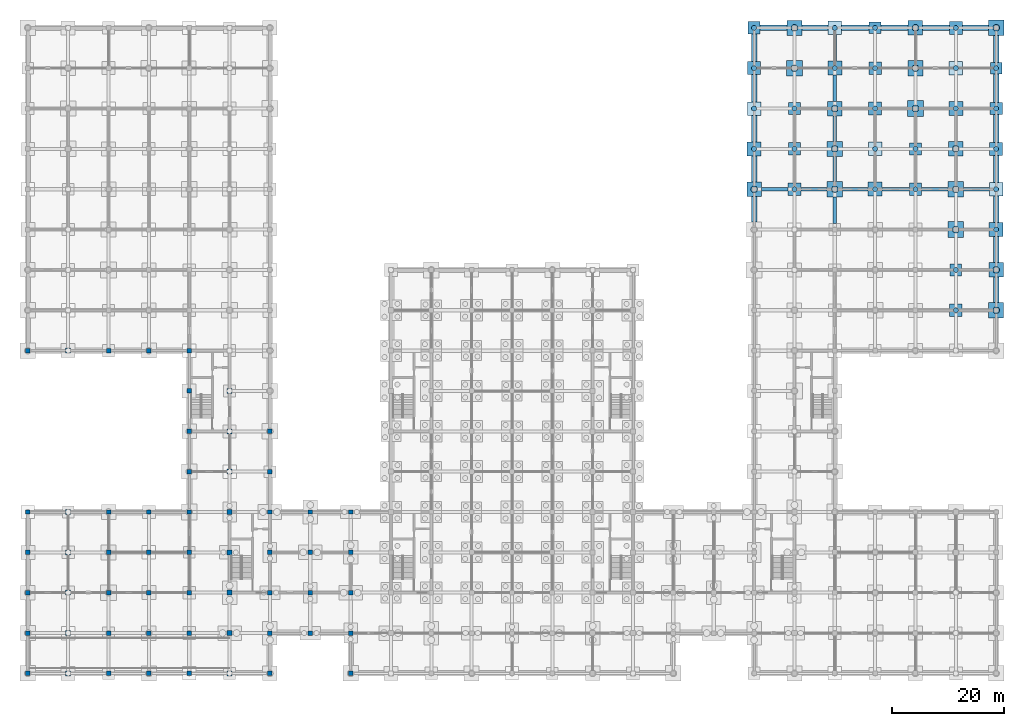
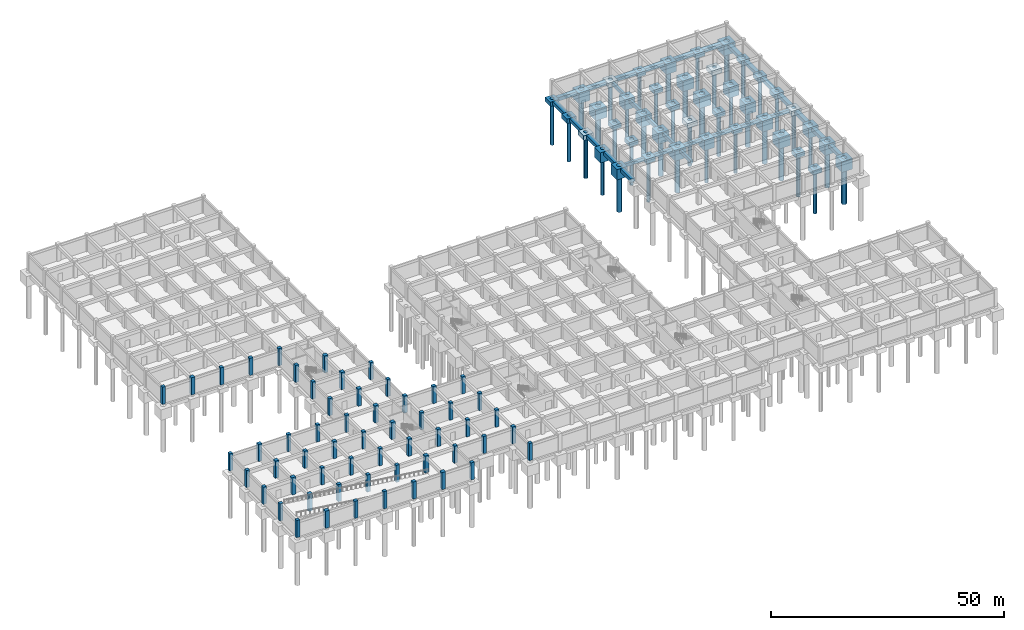
# One storey, part 7 of 25: 70 footings, 57 columns, 41 piles.
"""IFC4 building model written with IfcOpenShell, lengths in metres."""

from ifc_helpers import new_model, si_unit, direction, frame, origin, origin_2d, place, context, subcontext, project, spatial, rectangle, circle, extrude, material, material_profile, profile_set, type_object, element, save


model = new_model("IFC4")

# Units and contexts
model_context = context("Model", 3, precision=1e-05, world=origin(), true_north=direction((0.0, 1.0)))
body_context = subcontext(model_context, "Body", "Model", "MODEL_VIEW")
ifc_project = project(units=[si_unit("LENGTHUNIT", "METRE"), si_unit("AREAUNIT", "SQUARE_METRE"), si_unit("VOLUMEUNIT", "CUBIC_METRE"), si_unit("PLANEANGLEUNIT", "RADIAN"), si_unit("MASSUNIT", "GRAM", prefix="KILO")], contexts=[model_context])

# Site, building, storey
site_placement = place(None, origin())
site = spatial("IfcSite", under=ifc_project, at=site_placement, CompositionType="ELEMENT")
building_placement = place(site_placement, origin())
building = spatial("IfcBuilding", under=site, at=building_placement, Name="Cendaluz Park School", CompositionType="ELEMENT")
storey_placement = place(building_placement, frame((0.0, 0.0, -4.5)))
storey = spatial("IfcBuildingStorey", under=building, at=storey_placement, Name="B1", CompositionType="ELEMENT", Elevation=-4.5)

# Piles
ifc_material = material(Name="Concrete C40/50", Category="concrete")
ifc_material_profile_1 = material_profile(ifc_material, circle(Radius=0.449951171875, at=origin_2d()), Name="BP D900", Category="concrete")
ifc_profile_set_1 = profile_set([ifc_material_profile_1], Name="Concrete C40/50")
pile_type_1 = type_object("IfcPileType", Name="BP-01", PredefinedType="BORED", material=ifc_profile_set_1)
for number, where, z_axis, x_axis, name in (
    (1, (129.60009765625, 93.60009765625, -0.5), (0.0, 0.0, -1.0), (1.0, 0.0, 0.0), "PL-B1-419"),
    (2, (129.60009765625, 100.800048828125, -0.5), (0.0, 0.0, -1.0), (1.0, 0.0, 0.0), "PL-B1-420"),
    (3, (129.60009765625, 108.0, -0.5), (0.0, 0.0, -1.0), (1.0, 0.0, 0.0), "PL-B1-421"),
    (4, (129.60009765625, 115.199951171875, -0.5), (0.0, 0.0, -1.0), (1.0, 0.0, 0.0), "PL-B1-422"),
    (5, (136.800048828125, 86.39990234375, -0.5), (0.0, 0.0, -1.0), (1.0, 0.0, 0.0), "PL-B1-439"),
    (6, (136.800048828125, 93.60009765625, -0.5), (0.0, 0.0, -1.0), (1.0, 0.0, 0.0), "PL-B1-440"),
    (7, (136.800048828125, 100.800048828125, -0.5), (0.0, 0.0, -1.0), (1.0, 0.0, 0.0), "PL-B1-441"),
    (8, (144.0, 108.0, -0.5), (0.0, 0.0, -1.0), (1.0, 0.0, 0.0), "PL-B1-459"),
    (9, (144.0, 115.199951171875, -0.5), (0.0, 0.0, -1.0), (1.0, 0.0, 0.0), "PL-B1-460"),
    (10, (151.199951171875, 86.39990234375, -0.5), (0.0, 0.0, -1.0), (1.0, 0.0, 0.0), "PL-B1-470"),
    (11, (151.199951171875, 93.60009765625, -0.5), (0.0, 0.0, -1.0), (1.0, 0.0, 0.0), "PL-B1-471"),
    (12, (151.199951171875, 100.800048828125, -0.5), (0.0, 0.0, -1.0), (1.0, 0.0, 0.0), "PL-B1-472"),
    (13, (151.199951171875, 108.0, -0.5), (0.0, 0.0, -1.0), (1.0, 0.0, 0.0), "PL-B1-473"),
    (14, (151.199951171875, 115.199951171875, -0.5), (0.0, 0.0, -1.0), (1.0, 0.0, 0.0), "PL-B1-474"),
    (15, (158.39990234375, 86.39990234375, -0.5), (0.0, 0.0, -1.0), (1.0, 0.0, 0.0), "PL-B1-484"),
    (16, (158.39990234375, 93.60009765625, -0.5), (0.0, 0.0, -1.0), (1.0, 0.0, 0.0), "PL-B1-485"),
    (17, (165.60009765625, 64.800048828125, -0.5), (0.0, 0.0, -1.0), (1.0, 0.0, 0.0), "PL-B1-495"),
    (18, (165.60009765625, 72.0, -0.5), (0.0, 0.0, -1.0), (1.0, 0.0, 0.0), "PL-B1-496"),
    (19, (165.60009765625, 100.800048828125, -0.5), (0.0, 0.0, -1.0), (1.0, 0.0, 0.0), "PL-B1-500"),
    (20, (165.60009765625, 108.0, -0.5), (0.0, 0.0, -1.0), (1.0, 0.0, 0.0), "PL-B1-501"),
    (21, (165.60009765625, 115.199951171875, -0.5), (0.0, 0.0, -1.0), (1.0, 0.0, 0.0), "PL-B1-502"),
    (22, (172.800048828125, 79.199951171875, -0.5), (0.0, 0.0, -1.0), (1.0, 0.0, 0.0), "PL-B1-511"),
    (23, (172.800048828125, 86.39990234375, -0.5), (0.0, 0.0, -1.0), (1.0, 0.0, 0.0), "PL-B1-512"),
    (24, (172.800048828125, 93.60009765625, -0.5), (0.0, 0.0, -1.0), (1.0, 0.0, 0.0), "PL-B1-513"),
    (25, (172.800048828125, 100.800048828125, -0.5), (0.0, 0.0, -1.0), (1.0, 0.0, 0.0), "PL-B1-514"),
    (26, (172.800048828125, 108.0, -0.5), (0.0, 0.0, -1.0), (1.0, 0.0, 0.0), "PL-B1-515"),
):
    element("IfcPile", number, at=place(storey_placement, frame(where, z_axis=z_axis, x_axis=x_axis)), inside=storey, type_object=pile_type_1, Name=name, PredefinedType="BORED", context=body_context, shape_type="SweptSolid", body=[
        extrude(circle(Radius=0.449951171875, at=origin_2d()), origin(), (0.0, 0.0, 1.0), 12.0),
    ])
ifc_material_profile_2 = material_profile(ifc_material, circle(Radius=0.60009765625, at=origin_2d()), Name="BP D1200", Category="concrete")
ifc_profile_set_2 = profile_set([ifc_material_profile_2], Name="Concrete C40/50")
pile_type_2 = type_object("IfcPileType", Name="BP-02", PredefinedType="BORED", material=ifc_profile_set_2)
for number, where, z_axis, x_axis, name in (
    (27, (129.60009765625, 86.39990234375, -0.5), (0.0, 0.0, -1.0), (1.0, 0.0, 0.0), "PL-B1-418"),
    (28, (136.800048828125, 108.0, -0.5), (0.0, 0.0, -1.0), (1.0, 0.0, 0.0), "PL-B1-442"),
    (29, (136.800048828125, 115.199951171875, -0.5), (0.0, 0.0, -1.0), (1.0, 0.0, 0.0), "PL-B1-443"),
    (30, (144.0, 86.39990234375, -0.5), (0.0, 0.0, -1.0), (1.0, 0.0, 0.0), "PL-B1-456"),
    (31, (144.0, 93.60009765625, -0.5), (0.0, 0.0, -1.0), (1.0, 0.0, 0.0), "PL-B1-457"),
    (32, (144.0, 100.800048828125, -0.5), (0.0, 0.0, -1.0), (1.0, 0.0, 0.0), "PL-B1-458"),
    (33, (158.39990234375, 100.800048828125, -0.5), (0.0, 0.0, -1.0), (1.0, 0.0, 0.0), "PL-B1-486"),
    (34, (158.39990234375, 108.0, -0.5), (0.0, 0.0, -1.0), (1.0, 0.0, 0.0), "PL-B1-487"),
    (35, (158.39990234375, 115.199951171875, -0.5), (0.0, 0.0, -1.0), (1.0, 0.0, 0.0), "PL-B1-488"),
    (36, (165.60009765625, 79.199951171875, -0.5), (0.0, 0.0, -1.0), (1.0, 0.0, 0.0), "PL-B1-497"),
    (37, (165.60009765625, 86.39990234375, -0.5), (0.0, 0.0, -1.0), (1.0, 0.0, 0.0), "PL-B1-498"),
    (38, (165.60009765625, 93.60009765625, -0.5), (0.0, 0.0, -1.0), (1.0, 0.0, 0.0), "PL-B1-499"),
    (39, (172.800048828125, 64.800048828125, -0.5), (0.0, 0.0, -1.0), (1.0, 0.0, 0.0), "PL-B1-509"),
    (40, (172.800048828125, 72.0, -0.5), (0.0, 0.0, -1.0), (1.0, 0.0, 0.0), "PL-B1-510"),
    (41, (172.800048828125, 115.199951171875, -0.5), (0.0, 0.0, -1.0), (1.0, 0.0, 0.0), "PL-B1-516"),
):
    element("IfcPile", number, at=place(storey_placement, frame(where, z_axis=z_axis, x_axis=x_axis)), inside=storey, type_object=pile_type_2, Name=name, PredefinedType="BORED", context=body_context, shape_type="SweptSolid", body=[
        extrude(circle(Radius=0.60009765625, at=origin_2d()), origin(), (0.0, 0.0, 1.0), 12.0),
    ])

# Footings
footing_type_1 = type_object("IfcFootingType", Name="FB-X455", PredefinedType="FOOTING_BEAM", material=ifc_material)
footing_1_placement = place(storey_placement, frame((147.675048828125, 86.39990234375, -1.39990234375), z_axis=(0.0, 0.0, 1.0), x_axis=(1.0, 0.0, 0.0)))
element("IfcFooting", 42, at=footing_1_placement, inside=storey, type_object=footing_type_1, Name="FT-B1-389", PredefinedType="FOOTING_BEAM", context=body_context, shape_type="SweptSolid", body=[
    extrude(rectangle(XDim=4.550048828125, YDim=0.60009765625, at=origin_2d()), origin(), (0.0, 0.0, 1.0), 0.89990234375),
])
footing_type_2 = type_object("IfcFootingType", Name="FB-X465", PredefinedType="FOOTING_BEAM", material=ifc_material)
for number, where, z_axis, x_axis, name in (
    (43, (140.27490234375, 86.39990234375, -1.39990234375), (0.0, 0.0, 1.0), (1.0, 0.0, 0.0), "FT-B1-384"),
    (44, (169.27490234375, 86.39990234375, -1.39990234375), (0.0, 0.0, 1.0), (1.0, 0.0, 0.0), "FT-B1-404"),
):
    element("IfcFooting", number, at=place(storey_placement, frame(where, z_axis=z_axis, x_axis=x_axis)), inside=storey, type_object=footing_type_2, Name=name, PredefinedType="FOOTING_BEAM", context=body_context, shape_type="SweptSolid", body=[
        extrude(rectangle(XDim=4.64990234375, YDim=0.60009765625, at=origin_2d()), origin(), (0.0, 0.0, 1.0), 0.89990234375),
    ])
footing_type_3 = type_object("IfcFootingType", Name="FB-X475", PredefinedType="FOOTING_BEAM", material=ifc_material)
for number, where, z_axis, x_axis, name in (
    (45, (133.27490234375, 86.39990234375, -1.39990234375), (0.0, 0.0, 1.0), (1.0, 0.0, 0.0), "FT-B1-379"),
    (46, (161.875, 86.39990234375, -1.39990234375), (0.0, 0.0, 1.0), (1.0, 0.0, 0.0), "FT-B1-399"),
):
    element("IfcFooting", number, at=place(storey_placement, frame(where, z_axis=z_axis, x_axis=x_axis)), inside=storey, type_object=footing_type_3, Name=name, PredefinedType="FOOTING_BEAM", context=body_context, shape_type="SweptSolid", body=[
        extrude(rectangle(XDim=4.75, YDim=0.60009765625, at=origin_2d()), origin(), (0.0, 0.0, 1.0), 0.89990234375),
    ])
footing_type_4 = type_object("IfcFootingType", Name="FB-X485", PredefinedType="FOOTING_BEAM", material=ifc_material)
footing_2_placement = place(storey_placement, frame((154.875, 86.39990234375, -1.39990234375), z_axis=(0.0, 0.0, 1.0), x_axis=(1.0, 0.0, 0.0)))
element("IfcFooting", 47, at=footing_2_placement, inside=storey, type_object=footing_type_4, Name="FT-B1-394", PredefinedType="FOOTING_BEAM", context=body_context, shape_type="SweptSolid", body=[
    extrude(rectangle(XDim=4.85009765625, YDim=0.60009765625, at=origin_2d()), origin(), (0.0, 0.0, 1.0), 0.89990234375),
])
footing_type_5 = type_object("IfcFootingType", Name="FB-Y445", PredefinedType="FOOTING_BEAM", material=ifc_material)
footing_3_placement = place(storey_placement, frame((144.0, 90.02490234375, -1.39990234375), z_axis=(0.0, 0.0, 1.0), x_axis=(1.0, 0.0, 0.0)))
element("IfcFooting", 48, at=footing_3_placement, inside=storey, type_object=footing_type_5, Name="FT-B1-502", PredefinedType="FOOTING_BEAM", context=body_context, shape_type="SweptSolid", body=[
    extrude(rectangle(XDim=0.60009765625, YDim=4.449951171875, at=origin_2d()), origin(), (0.0, 0.0, 1.0), 0.89990234375),
])
footing_type_6 = type_object("IfcFootingType", Name="FB-Y455", PredefinedType="FOOTING_BEAM", material=ifc_material)
footing_4_placement = place(storey_placement, frame((144.0, 97.22509765625, -1.39990234375), z_axis=(0.0, 0.0, 1.0), x_axis=(1.0, 0.0, 0.0)))
element("IfcFooting", 49, at=footing_4_placement, inside=storey, type_object=footing_type_6, Name="FT-B1-503", PredefinedType="FOOTING_BEAM", context=body_context, shape_type="SweptSolid", body=[
    extrude(rectangle(XDim=0.60009765625, YDim=4.550048828125, at=origin_2d()), origin(), (0.0, 0.0, 1.0), 0.89990234375),
])
footing_type_7 = type_object("IfcFootingType", Name="FB-Y465", PredefinedType="FOOTING_BEAM", material=ifc_material)
footing_5_placement = place(storey_placement, frame((144.0, 104.425048828125, -1.39990234375), z_axis=(0.0, 0.0, 1.0), x_axis=(1.0, 0.0, 0.0)))
element("IfcFooting", 50, at=footing_5_placement, inside=storey, type_object=footing_type_7, Name="FT-B1-504", PredefinedType="FOOTING_BEAM", context=body_context, shape_type="SweptSolid", body=[
    extrude(rectangle(XDim=0.60009765625, YDim=4.64990234375, at=origin_2d()), origin(), (0.0, 0.0, 1.0), 0.89990234375),
])
footing_type_8 = type_object("IfcFootingType", Name="FB-Y475", PredefinedType="FOOTING_BEAM", material=ifc_material)
for number, where, z_axis, x_axis, name in (
    (51, (144.0, 82.625, -1.39990234375), (0.0, 0.0, 1.0), (1.0, 0.0, 0.0), "FT-B1-501"),
    (52, (144.0, 111.625, -1.39990234375), (0.0, 0.0, 1.0), (1.0, 0.0, 0.0), "FT-B1-505"),
):
    element("IfcFooting", number, at=place(storey_placement, frame(where, z_axis=z_axis, x_axis=x_axis)), inside=storey, type_object=footing_type_8, Name=name, PredefinedType="FOOTING_BEAM", context=body_context, shape_type="SweptSolid", body=[
        extrude(rectangle(XDim=0.60009765625, YDim=4.75, at=origin_2d()), origin(), (0.0, 0.0, 1.0), 0.89990234375),
    ])
footing_type_9 = type_object("IfcFootingType", Name="PC-09", PredefinedType="PILE_CAP", material=ifc_material)
for number, where, z_axis, x_axis, name in (
    (53, (136.800048828125, 108.0, -3.25), (0.0, 0.0, 1.0), (1.0, 0.0, 0.0), "FT-B1-235"),
    (54, (144.0, 86.39990234375, -3.25), (0.0, 0.0, 1.0), (1.0, 0.0, 0.0), "FT-B1-249"),
    (55, (158.39990234375, 100.800048828125, -3.25), (0.0, 0.0, 1.0), (1.0, 0.0, 0.0), "FT-B1-279"),
    (56, (165.60009765625, 79.199951171875, -3.25), (0.0, 0.0, 1.0), (1.0, 0.0, 0.0), "FT-B1-290"),
    (57, (172.800048828125, 115.199951171875, -3.25), (0.0, 0.0, 1.0), (1.0, 0.0, 0.0), "FT-B1-309"),
):
    element("IfcFooting", number, at=place(storey_placement, frame(where, z_axis=z_axis, x_axis=x_axis)), inside=storey, type_object=footing_type_9, Name=name, PredefinedType="PILE_CAP", context=body_context, shape_type="SweptSolid", body=[
        extrude(rectangle(XDim=2.800048828125, YDim=2.800048828125, at=origin_2d()), origin(), (0.0, 0.0, 1.0), 2.75),
    ])
footing_type_10 = type_object("IfcFootingType", Name="PC-10", PredefinedType="PILE_CAP", material=ifc_material)
for number, where, z_axis, x_axis, name in (
    (58, (136.800048828125, 115.199951171875, -3.25), (0.0, 0.0, 1.0), (1.0, 0.0, 0.0), "FT-B1-236"),
    (59, (144.0, 93.60009765625, -3.25), (0.0, 0.0, 1.0), (1.0, 0.0, 0.0), "FT-B1-250"),
    (60, (158.39990234375, 108.0, -3.25), (0.0, 0.0, 1.0), (1.0, 0.0, 0.0), "FT-B1-280"),
    (61, (165.60009765625, 86.39990234375, -3.25), (0.0, 0.0, 1.0), (1.0, 0.0, 0.0), "FT-B1-291"),
    (62, (172.800048828125, 64.800048828125, -3.25), (0.0, 0.0, 1.0), (1.0, 0.0, 0.0), "FT-B1-302"),
):
    element("IfcFooting", number, at=place(storey_placement, frame(where, z_axis=z_axis, x_axis=x_axis)), inside=storey, type_object=footing_type_10, Name=name, PredefinedType="PILE_CAP", context=body_context, shape_type="SweptSolid", body=[
        extrude(rectangle(XDim=2.699951171875, YDim=2.699951171875, at=origin_2d()), origin(), (0.0, 0.0, 1.0), 2.75),
    ])
footing_type_11 = type_object("IfcFootingType", Name="PC-11", PredefinedType="PILE_CAP", material=ifc_material)
for number, where, z_axis, x_axis, name in (
    (63, (129.60009765625, 86.39990234375, -3.2001953125), (0.0, 0.0, 1.0), (1.0, 0.0, 0.0), "FT-B1-215"),
    (64, (144.0, 100.800048828125, -3.2001953125), (0.0, 0.0, 1.0), (1.0, 0.0, 0.0), "FT-B1-251"),
    (65, (158.39990234375, 115.199951171875, -3.2001953125), (0.0, 0.0, 1.0), (1.0, 0.0, 0.0), "FT-B1-281"),
    (66, (165.60009765625, 93.60009765625, -3.2001953125), (0.0, 0.0, 1.0), (1.0, 0.0, 0.0), "FT-B1-292"),
    (67, (172.800048828125, 72.0, -3.2001953125), (0.0, 0.0, 1.0), (1.0, 0.0, 0.0), "FT-B1-303"),
):
    element("IfcFooting", number, at=place(storey_placement, frame(where, z_axis=z_axis, x_axis=x_axis)), inside=storey, type_object=footing_type_11, Name=name, PredefinedType="PILE_CAP", context=body_context, shape_type="SweptSolid", body=[
        extrude(rectangle(XDim=2.60009765625, YDim=2.60009765625, at=origin_2d()), origin(), (0.0, 0.0, 1.0), 2.699951171875),
    ])
footing_type_12 = type_object("IfcFootingType", Name="PC-12", PredefinedType="PILE_CAP", material=ifc_material)
for number, where, z_axis, x_axis, name in (
    (68, (129.60009765625, 93.60009765625, -3.2001953125), (0.0, 0.0, 1.0), (1.0, 0.0, 0.0), "FT-B1-216"),
    (69, (144.0, 108.0, -3.2001953125), (0.0, 0.0, 1.0), (1.0, 0.0, 0.0), "FT-B1-252"),
    (70, (151.199951171875, 86.39990234375, -3.2001953125), (0.0, 0.0, 1.0), (1.0, 0.0, 0.0), "FT-B1-263"),
    (71, (165.60009765625, 100.800048828125, -3.2001953125), (0.0, 0.0, 1.0), (1.0, 0.0, 0.0), "FT-B1-293"),
    (72, (172.800048828125, 79.199951171875, -3.2001953125), (0.0, 0.0, 1.0), (1.0, 0.0, 0.0), "FT-B1-304"),
):
    element("IfcFooting", number, at=place(storey_placement, frame(where, z_axis=z_axis, x_axis=x_axis)), inside=storey, type_object=footing_type_12, Name=name, PredefinedType="PILE_CAP", context=body_context, shape_type="SweptSolid", body=[
        extrude(rectangle(XDim=2.5, YDim=2.5, at=origin_2d()), origin(), (0.0, 0.0, 1.0), 2.699951171875),
    ])
footing_type_13 = type_object("IfcFootingType", Name="PC-13", PredefinedType="PILE_CAP", material=ifc_material)
for number, where, z_axis, x_axis, name in (
    (73, (129.60009765625, 100.800048828125, -1.7001953125), (0.0, 0.0, 1.0), (1.0, 0.0, 0.0), "FT-B1-217"),
    (74, (144.0, 115.199951171875, -1.7001953125), (0.0, 0.0, 1.0), (1.0, 0.0, 0.0), "FT-B1-253"),
    (75, (151.199951171875, 93.60009765625, -1.7001953125), (0.0, 0.0, 1.0), (1.0, 0.0, 0.0), "FT-B1-264"),
    (76, (165.60009765625, 108.0, -1.7001953125), (0.0, 0.0, 1.0), (1.0, 0.0, 0.0), "FT-B1-294"),
    (77, (172.800048828125, 86.39990234375, -1.7001953125), (0.0, 0.0, 1.0), (1.0, 0.0, 0.0), "FT-B1-305"),
):
    element("IfcFooting", number, at=place(storey_placement, frame(where, z_axis=z_axis, x_axis=x_axis)), inside=storey, type_object=footing_type_13, Name=name, PredefinedType="PILE_CAP", context=body_context, shape_type="SweptSolid", body=[
        extrude(rectangle(XDim=2.39990234375, YDim=2.39990234375, at=origin_2d()), origin(), (0.0, 0.0, 1.0), 1.199951171875),
    ])
footing_type_14 = type_object("IfcFootingType", Name="PC-14", PredefinedType="PILE_CAP", material=ifc_material)
for number, where, z_axis, x_axis, name in (
    (78, (129.60009765625, 108.0, -1.7001953125), (0.0, 0.0, 1.0), (1.0, 0.0, 0.0), "FT-B1-218"),
    (79, (136.800048828125, 86.39990234375, -1.7001953125), (0.0, 0.0, 1.0), (1.0, 0.0, 0.0), "FT-B1-232"),
    (80, (151.199951171875, 100.800048828125, -1.7001953125), (0.0, 0.0, 1.0), (1.0, 0.0, 0.0), "FT-B1-265"),
    (81, (165.60009765625, 115.199951171875, -1.7001953125), (0.0, 0.0, 1.0), (1.0, 0.0, 0.0), "FT-B1-295"),
    (82, (172.800048828125, 93.60009765625, -1.7001953125), (0.0, 0.0, 1.0), (1.0, 0.0, 0.0), "FT-B1-306"),
):
    element("IfcFooting", number, at=place(storey_placement, frame(where, z_axis=z_axis, x_axis=x_axis)), inside=storey, type_object=footing_type_14, Name=name, PredefinedType="PILE_CAP", context=body_context, shape_type="SweptSolid", body=[
        extrude(rectangle(XDim=2.300048828125, YDim=2.300048828125, at=origin_2d()), origin(), (0.0, 0.0, 1.0), 1.199951171875),
    ])
footing_type_15 = type_object("IfcFootingType", Name="PC-15", PredefinedType="PILE_CAP", material=ifc_material)
for number, where, z_axis, x_axis, name in (
    (83, (129.60009765625, 115.199951171875, -1.64990234375), (0.0, 0.0, 1.0), (1.0, 0.0, 0.0), "FT-B1-219"),
    (84, (136.800048828125, 93.60009765625, -1.64990234375), (0.0, 0.0, 1.0), (1.0, 0.0, 0.0), "FT-B1-233"),
    (85, (151.199951171875, 108.0, -1.64990234375), (0.0, 0.0, 1.0), (1.0, 0.0, 0.0), "FT-B1-266"),
    (86, (158.39990234375, 86.39990234375, -1.64990234375), (0.0, 0.0, 1.0), (1.0, 0.0, 0.0), "FT-B1-277"),
    (87, (165.60009765625, 64.800048828125, -1.64990234375), (0.0, 0.0, 1.0), (1.0, 0.0, 0.0), "FT-B1-288"),
    (88, (172.800048828125, 100.800048828125, -1.64990234375), (0.0, 0.0, 1.0), (1.0, 0.0, 0.0), "FT-B1-307"),
):
    element("IfcFooting", number, at=place(storey_placement, frame(where, z_axis=z_axis, x_axis=x_axis)), inside=storey, type_object=footing_type_15, Name=name, PredefinedType="PILE_CAP", context=body_context, shape_type="SweptSolid", body=[
        extrude(rectangle(XDim=2.199951171875, YDim=2.199951171875, at=origin_2d()), origin(), (0.0, 0.0, 1.0), 1.14990234375),
    ])
footing_type_16 = type_object("IfcFootingType", Name="PC-16", PredefinedType="PILE_CAP", material=ifc_material)
for number, where, z_axis, x_axis, name in (
    (89, (136.800048828125, 100.800048828125, -1.64990234375), (0.0, 0.0, 1.0), (1.0, 0.0, 0.0), "FT-B1-234"),
    (90, (151.199951171875, 115.199951171875, -1.64990234375), (0.0, 0.0, 1.0), (1.0, 0.0, 0.0), "FT-B1-267"),
    (91, (158.39990234375, 93.60009765625, -1.64990234375), (0.0, 0.0, 1.0), (1.0, 0.0, 0.0), "FT-B1-278"),
    (92, (165.60009765625, 72.0, -1.64990234375), (0.0, 0.0, 1.0), (1.0, 0.0, 0.0), "FT-B1-289"),
    (93, (172.800048828125, 108.0, -1.64990234375), (0.0, 0.0, 1.0), (1.0, 0.0, 0.0), "FT-B1-308"),
):
    element("IfcFooting", number, at=place(storey_placement, frame(where, z_axis=z_axis, x_axis=x_axis)), inside=storey, type_object=footing_type_16, Name=name, PredefinedType="PILE_CAP", context=body_context, shape_type="SweptSolid", body=[
        extrude(rectangle(XDim=2.10009765625, YDim=2.10009765625, at=origin_2d()), origin(), (0.0, 0.0, 1.0), 1.14990234375),
    ])
footing_type_17 = type_object("IfcFootingType", Name="SF-X465", PredefinedType="STRIP_FOOTING", material=ifc_material)
for number, where, z_axis, x_axis, name in (
    (94, (140.47509765625, 115.199951171875, -1.39990234375), (0.0, 0.0, 1.0), (1.0, 0.0, 0.0), "FT-B1-385"),
    (95, (169.074951171875, 115.199951171875, -1.39990234375), (0.0, 0.0, 1.0), (1.0, 0.0, 0.0), "FT-B1-405"),
):
    element("IfcFooting", number, at=place(storey_placement, frame(where, z_axis=z_axis, x_axis=x_axis)), inside=storey, type_object=footing_type_17, Name=name, PredefinedType="STRIP_FOOTING", context=body_context, shape_type="SweptSolid", body=[
        extrude(rectangle(XDim=4.64990234375, YDim=1.0, at=origin_2d()), origin(), (0.0, 0.0, 1.0), 0.89990234375),
    ])
footing_type_18 = type_object("IfcFootingType", Name="SF-X475", PredefinedType="STRIP_FOOTING", material=ifc_material)
for number, where, z_axis, x_axis, name in (
    (96, (133.074951171875, 115.199951171875, -1.39990234375), (0.0, 0.0, 1.0), (1.0, 0.0, 0.0), "FT-B1-380"),
    (97, (162.074951171875, 115.199951171875, -1.39990234375), (0.0, 0.0, 1.0), (1.0, 0.0, 0.0), "FT-B1-400"),
):
    element("IfcFooting", number, at=place(storey_placement, frame(where, z_axis=z_axis, x_axis=x_axis)), inside=storey, type_object=footing_type_18, Name=name, PredefinedType="STRIP_FOOTING", context=body_context, shape_type="SweptSolid", body=[
        extrude(rectangle(XDim=4.75, YDim=1.0, at=origin_2d()), origin(), (0.0, 0.0, 1.0), 0.89990234375),
    ])
footing_type_19 = type_object("IfcFootingType", Name="SF-X485", PredefinedType="STRIP_FOOTING", material=ifc_material)
footing_6_placement = place(storey_placement, frame((154.675048828125, 115.199951171875, -1.39990234375), z_axis=(0.0, 0.0, 1.0), x_axis=(1.0, 0.0, 0.0)))
element("IfcFooting", 98, at=footing_6_placement, inside=storey, type_object=footing_type_19, Name="FT-B1-395", PredefinedType="STRIP_FOOTING", context=body_context, shape_type="SweptSolid", body=[
    extrude(rectangle(XDim=4.85009765625, YDim=1.0, at=origin_2d()), origin(), (0.0, 0.0, 1.0), 0.89990234375),
])
footing_type_20 = type_object("IfcFootingType", Name="SF-X495", PredefinedType="STRIP_FOOTING", material=ifc_material)
footing_7_placement = place(storey_placement, frame((147.675048828125, 115.199951171875, -1.39990234375), z_axis=(0.0, 0.0, 1.0), x_axis=(1.0, 0.0, 0.0)))
element("IfcFooting", 99, at=footing_7_placement, inside=storey, type_object=footing_type_20, Name="FT-B1-390", PredefinedType="STRIP_FOOTING", context=body_context, shape_type="SweptSolid", body=[
    extrude(rectangle(XDim=4.949951171875, YDim=1.0, at=origin_2d()), origin(), (0.0, 0.0, 1.0), 0.89990234375),
])
footing_type_21 = type_object("IfcFootingType", Name="SF-Y455", PredefinedType="STRIP_FOOTING", material=ifc_material)
for number, where, z_axis, x_axis, name in (
    (100, (129.60009765625, 82.824951171875, -1.39990234375), (0.0, 0.0, 1.0), (1.0, 0.0, 0.0), "FT-B1-485"),
    (101, (172.800048828125, 68.425048828125, -1.39990234375), (0.0, 0.0, 1.0), (1.0, 0.0, 0.0), "FT-B1-511"),
):
    element("IfcFooting", number, at=place(storey_placement, frame(where, z_axis=z_axis, x_axis=x_axis)), inside=storey, type_object=footing_type_21, Name=name, PredefinedType="STRIP_FOOTING", context=body_context, shape_type="SweptSolid", body=[
        extrude(rectangle(XDim=1.0, YDim=4.550048828125, at=origin_2d()), origin(), (0.0, 0.0, 1.0), 0.89990234375),
    ])
footing_type_22 = type_object("IfcFootingType", Name="SF-Y465", PredefinedType="STRIP_FOOTING", material=ifc_material)
for number, where, z_axis, x_axis, name in (
    (102, (129.60009765625, 90.02490234375, -1.39990234375), (0.0, 0.0, 1.0), (1.0, 0.0, 0.0), "FT-B1-486"),
    (103, (172.800048828125, 75.625, -1.39990234375), (0.0, 0.0, 1.0), (1.0, 0.0, 0.0), "FT-B1-512"),
):
    element("IfcFooting", number, at=place(storey_placement, frame(where, z_axis=z_axis, x_axis=x_axis)), inside=storey, type_object=footing_type_22, Name=name, PredefinedType="STRIP_FOOTING", context=body_context, shape_type="SweptSolid", body=[
        extrude(rectangle(XDim=1.0, YDim=4.64990234375, at=origin_2d()), origin(), (0.0, 0.0, 1.0), 0.89990234375),
    ])
footing_type_23 = type_object("IfcFootingType", Name="SF-Y475", PredefinedType="STRIP_FOOTING", material=ifc_material)
for number, where, z_axis, x_axis, name in (
    (104, (129.60009765625, 97.22509765625, -1.39990234375), (0.0, 0.0, 1.0), (1.0, 0.0, 0.0), "FT-B1-487"),
    (105, (172.800048828125, 82.824951171875, -1.39990234375), (0.0, 0.0, 1.0), (1.0, 0.0, 0.0), "FT-B1-513"),
    (106, (172.800048828125, 111.425048828125, -1.39990234375), (0.0, 0.0, 1.0), (1.0, 0.0, 0.0), "FT-B1-517"),
):
    element("IfcFooting", number, at=place(storey_placement, frame(where, z_axis=z_axis, x_axis=x_axis)), inside=storey, type_object=footing_type_23, Name=name, PredefinedType="STRIP_FOOTING", context=body_context, shape_type="SweptSolid", body=[
        extrude(rectangle(XDim=1.0, YDim=4.75, at=origin_2d()), origin(), (0.0, 0.0, 1.0), 0.89990234375),
    ])
footing_type_24 = type_object("IfcFootingType", Name="SF-Y485", PredefinedType="STRIP_FOOTING", material=ifc_material)
for number, where, z_axis, x_axis, name in (
    (107, (129.60009765625, 104.425048828125, -1.39990234375), (0.0, 0.0, 1.0), (1.0, 0.0, 0.0), "FT-B1-488"),
    (108, (172.800048828125, 90.02490234375, -1.39990234375), (0.0, 0.0, 1.0), (1.0, 0.0, 0.0), "FT-B1-514"),
):
    element("IfcFooting", number, at=place(storey_placement, frame(where, z_axis=z_axis, x_axis=x_axis)), inside=storey, type_object=footing_type_24, Name=name, PredefinedType="STRIP_FOOTING", context=body_context, shape_type="SweptSolid", body=[
        extrude(rectangle(XDim=1.0, YDim=4.85009765625, at=origin_2d()), origin(), (0.0, 0.0, 1.0), 0.89990234375),
    ])
footing_type_25 = type_object("IfcFootingType", Name="SF-Y495", PredefinedType="STRIP_FOOTING", material=ifc_material)
for number, where, z_axis, x_axis, name in (
    (109, (129.60009765625, 111.625, -1.39990234375), (0.0, 0.0, 1.0), (1.0, 0.0, 0.0), "FT-B1-489"),
    (110, (172.800048828125, 97.22509765625, -1.39990234375), (0.0, 0.0, 1.0), (1.0, 0.0, 0.0), "FT-B1-515"),
):
    element("IfcFooting", number, at=place(storey_placement, frame(where, z_axis=z_axis, x_axis=x_axis)), inside=storey, type_object=footing_type_25, Name=name, PredefinedType="STRIP_FOOTING", context=body_context, shape_type="SweptSolid", body=[
        extrude(rectangle(XDim=1.0, YDim=4.949951171875, at=origin_2d()), origin(), (0.0, 0.0, 1.0), 0.89990234375),
    ])
footing_type_26 = type_object("IfcFootingType", Name="SF-Y505", PredefinedType="STRIP_FOOTING", material=ifc_material)
footing_8_placement = place(storey_placement, frame((172.800048828125, 104.425048828125, -1.39990234375), z_axis=(0.0, 0.0, 1.0), x_axis=(1.0, 0.0, 0.0)))
element("IfcFooting", 111, at=footing_8_placement, inside=storey, type_object=footing_type_26, Name="FT-B1-516", PredefinedType="STRIP_FOOTING", context=body_context, shape_type="SweptSolid", body=[
    extrude(rectangle(XDim=1.0, YDim=5.050048828125, at=origin_2d()), origin(), (0.0, 0.0, 1.0), 0.89990234375),
])

# Columns
ifc_material_profile_3 = material_profile(ifc_material, rectangle(XDim=0.89990234375, YDim=0.89990234375, at=origin_2d()), Name="RC 900x900", Category="concrete")
ifc_profile_set_3 = profile_set([ifc_material_profile_3], Name="Concrete C40/50")
column_type_1 = type_object("IfcColumnType", Name="C-RC01", PredefinedType="COLUMN", material=ifc_profile_set_3)
for number, where, z_axis, x_axis, name in (
    (112, (7.199951171875, 0.0, 0.0), (0.0, 0.0, 1.0), (1.0, 0.0, 0.0), "C-B1-CRC01-015"),
    (113, (7.199951171875, 7.199951171875, 0.0), (0.0, 0.0, 1.0), (1.0, 0.0, 0.0), "C-B1-CRC01-016"),
    (114, (7.199951171875, 14.39990234375, 0.0), (0.0, 0.0, 1.0), (1.0, 0.0, 0.0), "C-B1-CRC01-017"),
    (115, (7.199951171875, 21.60009765625, 0.0), (0.0, 0.0, 1.0), (1.0, 0.0, 0.0), "C-B1-CRC01-018"),
    (116, (7.199951171875, 28.800048828125, 0.0), (0.0, 0.0, 1.0), (1.0, 0.0, 0.0), "C-B1-CRC01-019"),
    (117, (7.199951171875, 57.60009765625, 0.0), (0.0, 0.0, 1.0), (1.0, 0.0, 0.0), "C-B1-CRC01-020"),
    (118, (36.0, 0.0, 0.0), (0.0, 0.0, 1.0), (1.0, 0.0, 0.0), "C-B1-CRC01-074"),
    (119, (36.0, 7.199951171875, 0.0), (0.0, 0.0, 1.0), (1.0, 0.0, 0.0), "C-B1-CRC01-075"),
    (120, (36.0, 14.39990234375, 0.0), (0.0, 0.0, 1.0), (1.0, 0.0, 0.0), "C-B1-CRC01-076"),
    (121, (36.0, 21.60009765625, 0.0), (0.0, 0.0, 1.0), (1.0, 0.0, 0.0), "C-B1-CRC01-077"),
    (122, (36.0, 28.800048828125, 0.0), (0.0, 0.0, 1.0), (1.0, 0.0, 0.0), "C-B1-CRC01-078"),
    (123, (36.0, 36.0, 0.0), (0.0, 0.0, 1.0), (1.0, 0.0, 0.0), "C-B1-CRC01-079"),
    (124, (36.0, 43.199951171875, 0.0), (0.0, 0.0, 1.0), (1.0, 0.0, 0.0), "C-B1-CRC01-080"),
    (125, (36.0, 50.39990234375, 0.0), (0.0, 0.0, 1.0), (1.0, 0.0, 0.0), "C-B1-CRC01-081"),
):
    element("IfcColumn", number, at=place(storey_placement, frame(where, z_axis=z_axis, x_axis=x_axis)), inside=storey, type_object=column_type_1, Name=name, PredefinedType="COLUMN", context=body_context, shape_type="SweptSolid", body=[
        extrude(rectangle(XDim=0.89990234375, YDim=0.89990234375, at=origin_2d()), origin(), (0.0, 0.0, 1.0), 4.5),
    ])
ifc_material_profile_4 = material_profile(ifc_material, rectangle(XDim=0.800048828125, YDim=0.800048828125, at=origin_2d()), Name="RC 800x800", Category="concrete")
ifc_profile_set_4 = profile_set([ifc_material_profile_4], Name="Concrete C40/50")
column_type_2 = type_object("IfcColumnType", Name="C-RC02", PredefinedType="COLUMN", material=ifc_profile_set_4)
for number, where, z_axis, x_axis, name in (
    (126, (0.0, 0.0, 0.0), (0.0, 0.0, 1.0), (1.0, 0.0, 0.0), "C-B1-CRC02-001"),
    (127, (0.0, 7.199951171875, 0.0), (0.0, 0.0, 1.0), (1.0, 0.0, 0.0), "C-B1-CRC02-002"),
    (128, (0.0, 14.39990234375, 0.0), (0.0, 0.0, 1.0), (1.0, 0.0, 0.0), "C-B1-CRC02-003"),
    (129, (0.0, 21.60009765625, 0.0), (0.0, 0.0, 1.0), (1.0, 0.0, 0.0), "C-B1-CRC02-004"),
    (130, (0.0, 28.800048828125, 0.0), (0.0, 0.0, 1.0), (1.0, 0.0, 0.0), "C-B1-CRC02-005"),
    (131, (0.0, 57.60009765625, 0.0), (0.0, 0.0, 1.0), (1.0, 0.0, 0.0), "C-B1-CRC02-006"),
    (132, (14.39990234375, 0.0, 0.0), (0.0, 0.0, 1.0), (1.0, 0.0, 0.0), "C-B1-CRC02-029"),
    (133, (14.39990234375, 7.199951171875, 0.0), (0.0, 0.0, 1.0), (1.0, 0.0, 0.0), "C-B1-CRC02-030"),
    (134, (14.39990234375, 14.39990234375, 0.0), (0.0, 0.0, 1.0), (1.0, 0.0, 0.0), "C-B1-CRC02-031"),
    (135, (14.39990234375, 21.60009765625, 0.0), (0.0, 0.0, 1.0), (1.0, 0.0, 0.0), "C-B1-CRC02-032"),
    (136, (14.39990234375, 28.800048828125, 0.0), (0.0, 0.0, 1.0), (1.0, 0.0, 0.0), "C-B1-CRC02-033"),
    (137, (14.39990234375, 57.60009765625, 0.0), (0.0, 0.0, 1.0), (1.0, 0.0, 0.0), "C-B1-CRC02-034"),
    (138, (21.60009765625, 0.0, 0.0), (0.0, 0.0, 1.0), (1.0, 0.0, 0.0), "C-B1-CRC02-043"),
    (139, (21.60009765625, 7.199951171875, 0.0), (0.0, 0.0, 1.0), (1.0, 0.0, 0.0), "C-B1-CRC02-044"),
    (140, (21.60009765625, 14.39990234375, 0.0), (0.0, 0.0, 1.0), (1.0, 0.0, 0.0), "C-B1-CRC02-045"),
    (141, (21.60009765625, 21.60009765625, 0.0), (0.0, 0.0, 1.0), (1.0, 0.0, 0.0), "C-B1-CRC02-046"),
    (142, (21.60009765625, 28.800048828125, 0.0), (0.0, 0.0, 1.0), (1.0, 0.0, 0.0), "C-B1-CRC02-047"),
    (143, (21.60009765625, 57.60009765625, 0.0), (0.0, 0.0, 1.0), (1.0, 0.0, 0.0), "C-B1-CRC02-048"),
    (144, (28.800048828125, 0.0, 0.0), (0.0, 0.0, 1.0), (1.0, 0.0, 0.0), "C-B1-CRC02-057"),
    (145, (28.800048828125, 7.199951171875, 0.0), (0.0, 0.0, 1.0), (1.0, 0.0, 0.0), "C-B1-CRC02-058"),
    (146, (28.800048828125, 14.39990234375, 0.0), (0.0, 0.0, 1.0), (1.0, 0.0, 0.0), "C-B1-CRC02-059"),
    (147, (28.800048828125, 21.60009765625, 0.0), (0.0, 0.0, 1.0), (1.0, 0.0, 0.0), "C-B1-CRC02-060"),
    (148, (28.800048828125, 28.800048828125, 0.0), (0.0, 0.0, 1.0), (1.0, 0.0, 0.0), "C-B1-CRC02-061"),
    (149, (28.800048828125, 36.0, 0.0), (0.0, 0.0, 1.0), (1.0, 0.0, 0.0), "C-B1-CRC02-062"),
    (150, (28.800048828125, 43.199951171875, 0.0), (0.0, 0.0, 1.0), (1.0, 0.0, 0.0), "C-B1-CRC02-063"),
    (151, (28.800048828125, 50.39990234375, 0.0), (0.0, 0.0, 1.0), (1.0, 0.0, 0.0), "C-B1-CRC02-064"),
    (152, (28.800048828125, 57.60009765625, 0.0), (0.0, 0.0, 1.0), (1.0, 0.0, 0.0), "C-B1-CRC02-065"),
    (153, (43.199951171875, 0.0, 0.0), (0.0, 0.0, 1.0), (1.0, 0.0, 0.0), "C-B1-CRC02-091"),
    (154, (43.199951171875, 7.199951171875, 0.0), (0.0, 0.0, 1.0), (1.0, 0.0, 0.0), "C-B1-CRC02-092"),
    (155, (43.199951171875, 14.39990234375, 0.0), (0.0, 0.0, 1.0), (1.0, 0.0, 0.0), "C-B1-CRC02-093"),
    (156, (43.199951171875, 21.60009765625, 0.0), (0.0, 0.0, 1.0), (1.0, 0.0, 0.0), "C-B1-CRC02-094"),
    (157, (43.199951171875, 28.800048828125, 0.0), (0.0, 0.0, 1.0), (1.0, 0.0, 0.0), "C-B1-CRC02-095"),
    (158, (43.199951171875, 36.0, 0.0), (0.0, 0.0, 1.0), (1.0, 0.0, 0.0), "C-B1-CRC02-096"),
    (159, (43.199951171875, 43.199951171875, 0.0), (0.0, 0.0, 1.0), (1.0, 0.0, 0.0), "C-B1-CRC02-097"),
    (160, (50.39990234375, 7.199951171875, 0.0), (0.0, 0.0, 1.0), (1.0, 0.0, 0.0), "C-B1-CRC02-108"),
    (161, (50.39990234375, 14.39990234375, 0.0), (0.0, 0.0, 1.0), (1.0, 0.0, 0.0), "C-B1-CRC02-109"),
    (162, (50.39990234375, 21.60009765625, 0.0), (0.0, 0.0, 1.0), (1.0, 0.0, 0.0), "C-B1-CRC02-110"),
    (163, (50.39990234375, 28.800048828125, 0.0), (0.0, 0.0, 1.0), (1.0, 0.0, 0.0), "C-B1-CRC02-111"),
    (164, (57.60009765625, 0.0, 0.0), (0.0, 0.0, 1.0), (1.0, 0.0, 0.0), "C-B1-CRC02-112"),
    (165, (57.60009765625, 7.199951171875, 0.0), (0.0, 0.0, 1.0), (1.0, 0.0, 0.0), "C-B1-CRC02-113"),
    (166, (57.60009765625, 14.39990234375, 0.0), (0.0, 0.0, 1.0), (1.0, 0.0, 0.0), "C-B1-CRC02-114"),
    (167, (57.60009765625, 21.60009765625, 0.0), (0.0, 0.0, 1.0), (1.0, 0.0, 0.0), "C-B1-CRC02-115"),
    (168, (57.60009765625, 28.800048828125, 0.0), (0.0, 0.0, 1.0), (1.0, 0.0, 0.0), "C-B1-CRC02-116"),
):
    element("IfcColumn", number, at=place(storey_placement, frame(where, z_axis=z_axis, x_axis=x_axis)), inside=storey, type_object=column_type_2, Name=name, PredefinedType="COLUMN", context=body_context, shape_type="SweptSolid", body=[
        extrude(rectangle(XDim=0.800048828125, YDim=0.800048828125, at=origin_2d()), origin(), (0.0, 0.0, 1.0), 4.5),
    ])

save(model, "model.ifc")
